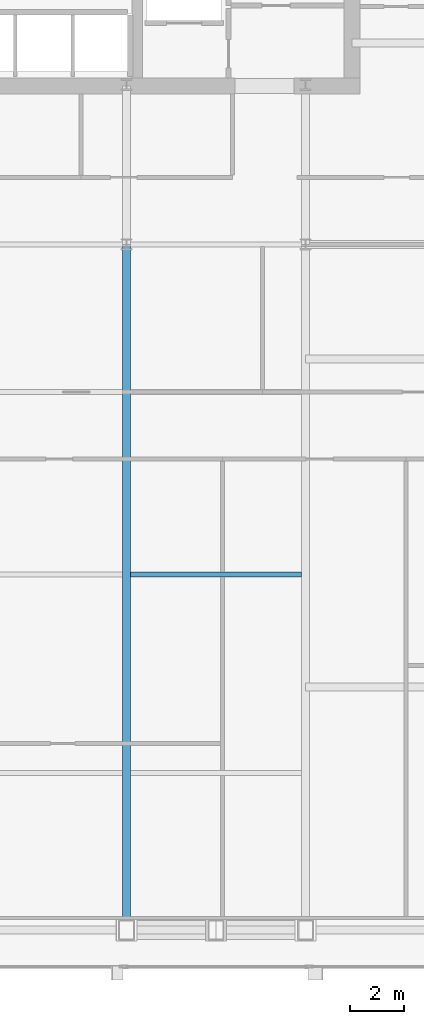
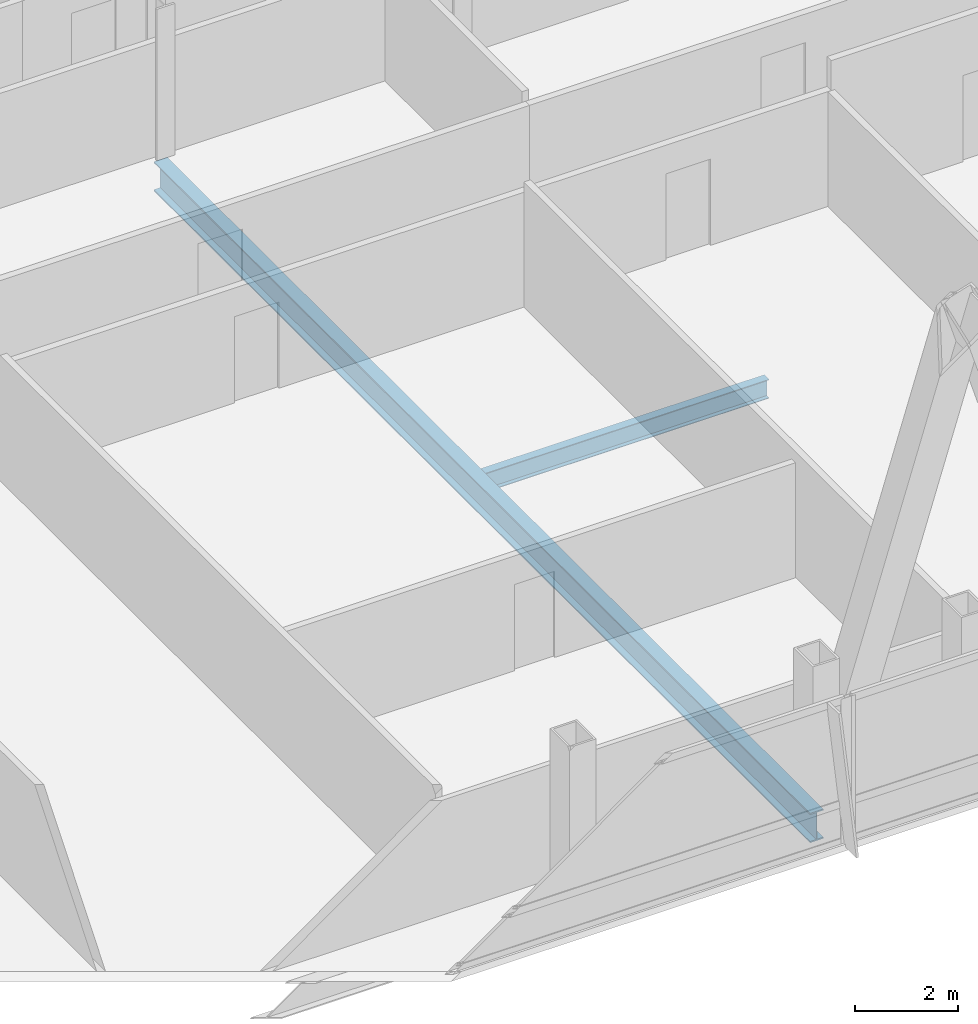
# One storey, part 14 of 33: 2 beams.
"""IFC4 building model written with IfcOpenShell, lengths in metres."""

from ifc_helpers import new_model, si_unit, direction, frame, origin, origin_2d, place, context, subcontext, project, spatial, i_section, extrude, material, material_profile, profile_set, type_object, element, save


model = new_model("IFC4")

# Units and contexts
model_context = context("Model", 3, precision=1e-05, world=origin(), true_north=direction((0.0, 1.0)))
body_context = subcontext(model_context, "Body", "Model", "MODEL_VIEW")
ifc_project = project(units=[si_unit("LENGTHUNIT", "METRE"), si_unit("AREAUNIT", "SQUARE_METRE"), si_unit("VOLUMEUNIT", "CUBIC_METRE"), si_unit("PLANEANGLEUNIT", "RADIAN"), si_unit("MASSUNIT", "GRAM", prefix="KILO")], contexts=[model_context])

# Site, building, storey
site_placement = place(None, origin())
site = spatial("IfcSite", under=ifc_project, at=site_placement, CompositionType="ELEMENT")
building_placement = place(site_placement, origin())
building = spatial("IfcBuilding", under=site, at=building_placement, Name="Khoronbel Lancet Exchange", CompositionType="ELEMENT")
storey_placement = place(building_placement, frame((0.0, 0.0, 210.199951171875)))
storey = spatial("IfcBuildingStorey", under=building, at=storey_placement, Name="L53", CompositionType="ELEMENT", Elevation=210.199951171875)

# Beams
ifc_material = material(Name="Steel S355", Category="steel")
ifc_material_profile_1 = material_profile(ifc_material, i_section(OverallWidth=0.300048828125, OverallDepth=0.699951171875, WebThickness=0.01708984375, FlangeThickness=0.031982421875, at=origin_2d()), Name="HEB 700")
ifc_profile_set_1 = profile_set([ifc_material_profile_1], Name="Steel S355")
beam_type_1 = type_object("IfcBeamType", Name="BM-BG3", PredefinedType="BEAM", material=ifc_profile_set_1)
beam_1_placement = place(storey_placement, frame((48.0, 10.14990234375, -0.510009765625), z_axis=(0.0, 1.0, 0.0), x_axis=(-1.0, 0.0, 0.0)))
element("IfcBeam", 1, at=beam_1_placement, inside=storey, type_object=beam_type_1, Name="Level L53 south primary girder GS5", PredefinedType="BEAM", context=body_context, shape_type="SweptSolid", body=[
    extrude(i_section(OverallWidth=0.300048828125, OverallDepth=0.699951171875, WebThickness=0.01708984375, FlangeThickness=0.031982421875, at=origin_2d()), origin(), (0.0, 0.0, 1.0), 25.550048828125),
])
ifc_material_profile_2 = material_profile(ifc_material, i_section(OverallWidth=0.18994140625, OverallDepth=0.449951171875, WebThickness=0.009521484375, FlangeThickness=0.0146484375, at=origin_2d()), Name="IPE 450")
ifc_profile_set_2 = profile_set([ifc_material_profile_2], Name="Steel S355")
beam_type_2 = type_object("IfcBeamType", Name="BM-BJ4", PredefinedType="JOIST", material=ifc_profile_set_2)
beam_2_placement = place(storey_placement, frame((48.14990234375, 23.39990234375, -0.385009765625), z_axis=(1.0, 0.0, 0.0), x_axis=(0.0, 1.0, 0.0)))
element("IfcBeam", 2, at=beam_2_placement, inside=storey, type_object=beam_type_2, Name="Level L53 secondary composite joist J10", PredefinedType="JOIST", context=body_context, shape_type="SweptSolid", body=[
    extrude(i_section(OverallWidth=0.18994140625, OverallDepth=0.449951171875, WebThickness=0.009521484375, FlangeThickness=0.0146484375, at=origin_2d()), origin(), (0.0, 0.0, 1.0), 6.375),
])

save(model, "model.ifc")
